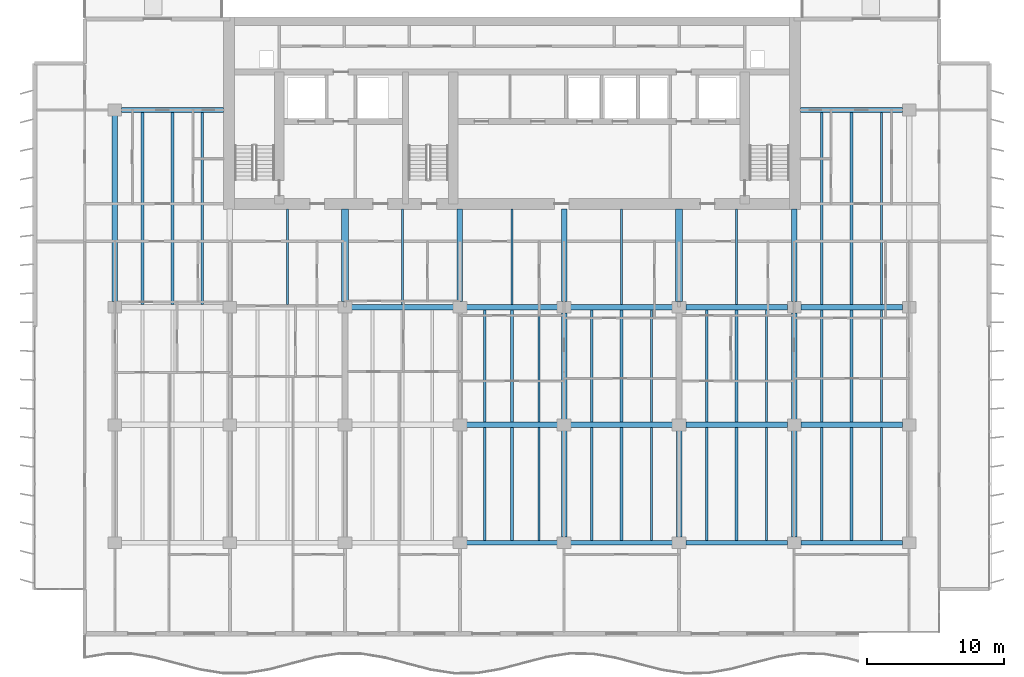
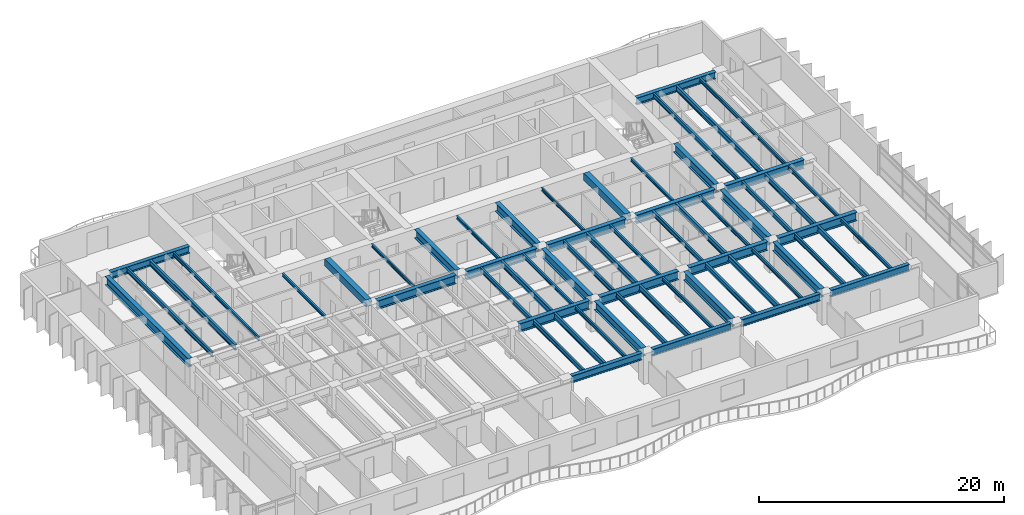
# One storey, part 3 of 16: 61 beams.
"""IFC4 building model written with IfcOpenShell, lengths in metres."""

from ifc_helpers import new_model, si_unit, direction, frame, origin, origin_2d, place, context, subcontext, project, spatial, rectangle, i_section, extrude, material, material_profile, profile_set, type_object, element, save


model = new_model("IFC4")

# Units and contexts
model_context = context("Model", 3, precision=1e-05, world=origin(), true_north=direction((0.0, 1.0)))
body_context = subcontext(model_context, "Body", "Model", "MODEL_VIEW")
ifc_project = project(units=[si_unit("LENGTHUNIT", "METRE"), si_unit("AREAUNIT", "SQUARE_METRE"), si_unit("VOLUMEUNIT", "CUBIC_METRE"), si_unit("PLANEANGLEUNIT", "RADIAN"), si_unit("MASSUNIT", "GRAM", prefix="KILO")], contexts=[model_context])

# Site, building, storey
site_placement = place(None, origin())
site = spatial("IfcSite", under=ifc_project, at=site_placement, CompositionType="ELEMENT")
building_placement = place(site_placement, origin())
building = spatial("IfcBuilding", under=site, at=building_placement, Name="Caelmar Bay Residences", CompositionType="ELEMENT")
storey_placement = place(building_placement, frame((0.0, 0.0, 148.800048828125)))
storey = spatial("IfcBuildingStorey", under=building, at=storey_placement, Name="L41", CompositionType="ELEMENT", Elevation=148.800048828125)

# Beams
ifc_material_1 = material(Name="Steel ASTM A992 Grade 50", Category="steel")
ifc_material_profile_1 = material_profile(ifc_material_1, i_section(OverallWidth=0.40087890625, OverallDepth=0.861083984375, WebThickness=0.019775390625, FlangeThickness=0.032470703125, FilletRadius=0.017822265625, at=origin_2d()), Name="W33X221")
ifc_profile_set_1 = profile_set([ifc_material_profile_1], Name="Steel ASTM A992 Grade 50")
beam_type_1 = type_object("IfcBeamType", Name="BM-GRD-W33X221", PredefinedType="BEAM", material=ifc_profile_set_1)
beam_1_placement = place(storey_placement, frame((35.590087890625, 20.800048828125, 2.5693359375), z_axis=(1.0, 0.0, 0.0), x_axis=(0.0, 1.0, 0.0)))
element("IfcBeam", 1, at=beam_1_placement, inside=storey, type_object=beam_type_1, Name="L41 East-West Girder Y=20.80 (35.1-42.7)", PredefinedType="BEAM", context=body_context, shape_type="SweptSolid", body=[
    extrude(i_section(OverallWidth=0.40087890625, OverallDepth=0.861083984375, WebThickness=0.019775390625, FlangeThickness=0.032470703125, FilletRadius=0.017822265625, at=origin_2d()), origin(), (0.0, 0.0, 1.0), 6.619873046875),
])
beam_2_placement = place(storey_placement, frame((43.18994140625, 20.800048828125, 2.5693359375), z_axis=(1.0, 0.0, 0.0), x_axis=(0.0, 1.0, 0.0)))
element("IfcBeam", 2, at=beam_2_placement, inside=storey, type_object=beam_type_1, Name="L41 East-West Girder Y=20.80 (42.7-51.1)", PredefinedType="BEAM", context=body_context, shape_type="SweptSolid", body=[
    extrude(i_section(OverallWidth=0.40087890625, OverallDepth=0.861083984375, WebThickness=0.019775390625, FlangeThickness=0.032470703125, FilletRadius=0.017822265625, at=origin_2d()), origin(), (0.0, 0.0, 1.0), 7.420166015625),
])
for number, where, z_axis, x_axis, name in (
    (3, (51.590087890625, 20.800048828125, 2.5693359375), (1.0, 0.0, 0.0), (0.0, 1.0, 0.0), "L41 East-West Girder Y=20.80 (51.1-59.5)"),
    (4, (59.989990234375, 20.800048828125, 2.5693359375), (1.0, 0.0, 0.0), (0.0, 1.0, 0.0), "L41 East-West Girder Y=20.80 (59.5-67.9)"),
):
    element("IfcBeam", number, at=place(storey_placement, frame(where, z_axis=z_axis, x_axis=x_axis)), inside=storey, type_object=beam_type_1, Name=name, PredefinedType="BEAM", context=body_context, shape_type="SweptSolid", body=[
        extrude(i_section(OverallWidth=0.40087890625, OverallDepth=0.861083984375, WebThickness=0.019775390625, FlangeThickness=0.032470703125, FilletRadius=0.017822265625, at=origin_2d()), origin(), (0.0, 0.0, 1.0), 7.419921875),
    ])
beam_3_placement = place(storey_placement, frame((27.18994140625, 29.39990234375, 2.5693359375), z_axis=(1.0, 0.0, 0.0), x_axis=(0.0, 1.0, 0.0)))
element("IfcBeam", 5, at=beam_3_placement, inside=storey, type_object=beam_type_1, Name="L41 East-West Girder Y=29.40 (26.7-35.1)", PredefinedType="BEAM", context=body_context, shape_type="SweptSolid", body=[
    extrude(i_section(OverallWidth=0.40087890625, OverallDepth=0.861083984375, WebThickness=0.019775390625, FlangeThickness=0.032470703125, FilletRadius=0.017822265625, at=origin_2d()), origin(), (0.0, 0.0, 1.0), 7.420166015625),
])
beam_4_placement = place(storey_placement, frame((35.590087890625, 29.39990234375, 2.5693359375), z_axis=(1.0, 0.0, 0.0), x_axis=(0.0, 1.0, 0.0)))
element("IfcBeam", 6, at=beam_4_placement, inside=storey, type_object=beam_type_1, Name="L41 East-West Girder Y=29.40 (35.1-42.7)", PredefinedType="BEAM", context=body_context, shape_type="SweptSolid", body=[
    extrude(i_section(OverallWidth=0.40087890625, OverallDepth=0.861083984375, WebThickness=0.019775390625, FlangeThickness=0.032470703125, FilletRadius=0.017822265625, at=origin_2d()), origin(), (0.0, 0.0, 1.0), 6.619873046875),
])
beam_5_placement = place(storey_placement, frame((43.18994140625, 29.39990234375, 2.5693359375), z_axis=(1.0, 0.0, 0.0), x_axis=(0.0, 1.0, 0.0)))
element("IfcBeam", 7, at=beam_5_placement, inside=storey, type_object=beam_type_1, Name="L41 East-West Girder Y=29.40 (42.7-51.1)", PredefinedType="BEAM", context=body_context, shape_type="SweptSolid", body=[
    extrude(i_section(OverallWidth=0.40087890625, OverallDepth=0.861083984375, WebThickness=0.019775390625, FlangeThickness=0.032470703125, FilletRadius=0.017822265625, at=origin_2d()), origin(), (0.0, 0.0, 1.0), 7.420166015625),
])
for number, where, z_axis, x_axis, name in (
    (8, (51.590087890625, 29.39990234375, 2.5693359375), (1.0, 0.0, 0.0), (0.0, 1.0, 0.0), "L41 East-West Girder Y=29.40 (51.1-59.5)"),
    (9, (59.989990234375, 29.39990234375, 2.5693359375), (1.0, 0.0, 0.0), (0.0, 1.0, 0.0), "L41 East-West Girder Y=29.40 (59.5-67.9)"),
):
    element("IfcBeam", number, at=place(storey_placement, frame(where, z_axis=z_axis, x_axis=x_axis)), inside=storey, type_object=beam_type_1, Name=name, PredefinedType="BEAM", context=body_context, shape_type="SweptSolid", body=[
        extrude(i_section(OverallWidth=0.40087890625, OverallDepth=0.861083984375, WebThickness=0.019775390625, FlangeThickness=0.032470703125, FilletRadius=0.017822265625, at=origin_2d()), origin(), (0.0, 0.0, 1.0), 7.419921875),
    ])
beam_6_placement = place(storey_placement, frame((9.89990234375, 29.81494140625, 2.5693359375), z_axis=(0.0, 1.0, 0.0), x_axis=(-1.0, 0.0, 0.0)))
element("IfcBeam", 10, at=beam_6_placement, inside=storey, type_object=beam_type_1, Name="L41 North-South Girder X=9.90 (29.4-43.8)", PredefinedType="BEAM", context=body_context, shape_type="SweptSolid", body=[
    extrude(i_section(OverallWidth=0.40087890625, OverallDepth=0.861083984375, WebThickness=0.019775390625, FlangeThickness=0.032470703125, FilletRadius=0.017822265625, at=origin_2d()), origin(), (0.0, 0.0, 1.0), 13.570068359375),
])
for number, where, z_axis, x_axis, name in (
    (11, (35.10009765625, 29.81494140625, 2.5693359375), (0.0, 1.0, 0.0), (-1.0, 0.0, 0.0), "L41 Core Tie Girder X=35.10"),
    (12, (42.699951171875, 29.81494140625, 2.5693359375), (0.0, 1.0, 0.0), (-1.0, 0.0, 0.0), "L41 Core Tie Girder X=42.70"),
):
    element("IfcBeam", number, at=place(storey_placement, frame(where, z_axis=z_axis, x_axis=x_axis)), inside=storey, type_object=beam_type_1, Name=name, PredefinedType="BEAM", context=body_context, shape_type="SweptSolid", body=[
        extrude(i_section(OverallWidth=0.40087890625, OverallDepth=0.861083984375, WebThickness=0.019775390625, FlangeThickness=0.032470703125, FilletRadius=0.017822265625, at=origin_2d()), origin(), (0.0, 0.0, 1.0), 6.735107421875),
    ])
for number, where, z_axis, x_axis, name in (
    (13, (42.699951171875, 12.614990234375, 2.5693359375), (0.0, 1.0, 0.0), (-1.0, 0.0, 0.0), "L41 North-South Girder X=42.70 (12.2-20.8)"),
    (14, (42.699951171875, 21.215087890625, 2.5693359375), (0.0, 1.0, 0.0), (-1.0, 0.0, 0.0), "L41 North-South Girder X=42.70 (20.8-29.4)"),
    (15, (51.10009765625, 12.614990234375, 2.5693359375), (0.0, 1.0, 0.0), (-1.0, 0.0, 0.0), "L41 North-South Girder X=51.10 (12.2-20.8)"),
):
    element("IfcBeam", number, at=place(storey_placement, frame(where, z_axis=z_axis, x_axis=x_axis)), inside=storey, type_object=beam_type_1, Name=name, PredefinedType="BEAM", context=body_context, shape_type="SweptSolid", body=[
        extrude(i_section(OverallWidth=0.40087890625, OverallDepth=0.861083984375, WebThickness=0.019775390625, FlangeThickness=0.032470703125, FilletRadius=0.017822265625, at=origin_2d()), origin(), (0.0, 0.0, 1.0), 7.77001953125),
    ])
beam_7_placement = place(storey_placement, frame((59.5, 29.81494140625, 2.5693359375), z_axis=(0.0, 1.0, 0.0), x_axis=(-1.0, 0.0, 0.0)))
element("IfcBeam", 16, at=beam_7_placement, inside=storey, type_object=beam_type_1, Name="L41 Core Tie Girder X=59.50", PredefinedType="BEAM", context=body_context, shape_type="SweptSolid", body=[
    extrude(i_section(OverallWidth=0.40087890625, OverallDepth=0.861083984375, WebThickness=0.019775390625, FlangeThickness=0.032470703125, FilletRadius=0.017822265625, at=origin_2d()), origin(), (0.0, 0.0, 1.0), 6.735107421875),
])
for number, where, z_axis, x_axis, name in (
    (17, (59.5, 12.614990234375, 2.5693359375), (0.0, 1.0, 0.0), (-1.0, 0.0, 0.0), "L41 North-South Girder X=59.50 (12.2-20.8)"),
    (18, (59.5, 21.215087890625, 2.5693359375), (0.0, 1.0, 0.0), (-1.0, 0.0, 0.0), "L41 North-South Girder X=59.50 (20.8-29.4)"),
):
    element("IfcBeam", number, at=place(storey_placement, frame(where, z_axis=z_axis, x_axis=x_axis)), inside=storey, type_object=beam_type_1, Name=name, PredefinedType="BEAM", context=body_context, shape_type="SweptSolid", body=[
        extrude(i_section(OverallWidth=0.40087890625, OverallDepth=0.861083984375, WebThickness=0.019775390625, FlangeThickness=0.032470703125, FilletRadius=0.017822265625, at=origin_2d()), origin(), (0.0, 0.0, 1.0), 7.77001953125),
    ])
ifc_material_profile_2 = material_profile(ifc_material_1, i_section(OverallWidth=0.1650390625, OverallDepth=0.31005859375, WebThickness=0.005859375, FlangeThickness=0.009765625, FilletRadius=0.007568359375, at=origin_2d()), Name="W12X26")
ifc_profile_set_2 = profile_set([ifc_material_profile_2], Name="Steel ASTM A992 Grade 50")
beam_type_2 = type_object("IfcBeamType", Name="BM-JST-W12X26", PredefinedType="JOIST", material=ifc_profile_set_2)
for number, where, z_axis, x_axis, name in (
    (19, (22.5, 29.6005859375, 2.844970703125), (0.0, 1.0, 0.0), (-1.0, 0.0, 0.0), "L41 Core-Band Composite Joist 43"),
    (20, (30.89990234375, 29.6005859375, 2.844970703125), (0.0, 1.0, 0.0), (-1.0, 0.0, 0.0), "L41 Core-Band Composite Joist 44"),
    (21, (38.89990234375, 29.6005859375, 2.844970703125), (0.0, 1.0, 0.0), (-1.0, 0.0, 0.0), "L41 Core-Band Composite Joist 45"),
    (22, (46.89990234375, 29.6005859375, 2.844970703125), (0.0, 1.0, 0.0), (-1.0, 0.0, 0.0), "L41 Core-Band Composite Joist 46"),
    (23, (55.300048828125, 29.6005859375, 2.844970703125), (0.0, 1.0, 0.0), (-1.0, 0.0, 0.0), "L41 Core-Band Composite Joist 47"),
):
    element("IfcBeam", number, at=place(storey_placement, frame(where, z_axis=z_axis, x_axis=x_axis)), inside=storey, type_object=beam_type_2, Name=name, PredefinedType="JOIST", context=body_context, shape_type="SweptSolid", body=[
        extrude(i_section(OverallWidth=0.1650390625, OverallDepth=0.31005859375, WebThickness=0.005859375, FlangeThickness=0.009765625, FilletRadius=0.007568359375, at=origin_2d()), origin(), (0.0, 0.0, 1.0), 6.949462890625),
    ])
ifc_material_profile_3 = material_profile(ifc_material_1, i_section(OverallWidth=0.1708984375, OverallDepth=0.35595703125, WebThickness=0.007080078125, FlangeThickness=0.01171875, FilletRadius=0.007568359375, at=origin_2d()), Name="W14X34")
ifc_profile_set_3 = profile_set([ifc_material_profile_3], Name="Steel ASTM A992 Grade 50")
beam_type_3 = type_object("IfcBeamType", Name="BM-JST-W14X34", PredefinedType="JOIST", material=ifc_profile_set_3)
for number, where, z_axis, x_axis, name in (
    (24, (40.8759765625, 12.3779296875, 2.822021484375), (0.0, 1.0, 0.0), (-1.0, 0.0, 0.0), "L41 Composite Floor Joist 12"),
    (25, (49.083984375, 12.3779296875, 2.822021484375), (0.0, 1.0, 0.0), (-1.0, 0.0, 0.0), "L41 Composite Floor Joist 15"),
    (26, (57.48388671875, 12.3779296875, 2.822021484375), (0.0, 1.0, 0.0), (-1.0, 0.0, 0.0), "L41 Composite Floor Joist 18"),
    (27, (65.884033203125, 12.3779296875, 2.822021484375), (0.0, 1.0, 0.0), (-1.0, 0.0, 0.0), "L41 Composite Floor Joist 21"),
):
    element("IfcBeam", number, at=place(storey_placement, frame(where, z_axis=z_axis, x_axis=x_axis)), inside=storey, type_object=beam_type_3, Name=name, PredefinedType="JOIST", context=body_context, shape_type="SweptSolid", body=[
        extrude(i_section(OverallWidth=0.1708984375, OverallDepth=0.35595703125, WebThickness=0.007080078125, FlangeThickness=0.01171875, FilletRadius=0.007568359375, at=origin_2d()), origin(), (0.0, 0.0, 1.0), 8.2216796875),
    ])
for number, where, z_axis, x_axis, name in (
    (28, (40.8759765625, 21.00048828125, 2.822021484375), (0.0, 1.0, 0.0), (-1.0, 0.0, 0.0), "L41 Composite Floor Joist 33"),
    (29, (49.083984375, 21.00048828125, 2.822021484375), (0.0, 1.0, 0.0), (-1.0, 0.0, 0.0), "L41 Composite Floor Joist 36"),
    (30, (57.48388671875, 21.00048828125, 2.822021484375), (0.0, 1.0, 0.0), (-1.0, 0.0, 0.0), "L41 Composite Floor Joist 39"),
    (31, (65.884033203125, 21.00048828125, 2.822021484375), (0.0, 1.0, 0.0), (-1.0, 0.0, 0.0), "L41 Composite Floor Joist 42"),
):
    element("IfcBeam", number, at=place(storey_placement, frame(where, z_axis=z_axis, x_axis=x_axis)), inside=storey, type_object=beam_type_3, Name=name, PredefinedType="JOIST", context=body_context, shape_type="SweptSolid", body=[
        extrude(i_section(OverallWidth=0.1708984375, OverallDepth=0.35595703125, WebThickness=0.007080078125, FlangeThickness=0.01171875, FilletRadius=0.007568359375, at=origin_2d()), origin(), (0.0, 0.0, 1.0), 8.198974609375),
    ])
for number, where, z_axis, x_axis, name in (
    (32, (16.283935546875, 29.6005859375, 2.822021484375), (0.0, 1.0, 0.0), (-1.0, 0.0, 0.0), "L41 Composite Floor Joist 50"),
    (33, (65.884033203125, 29.6005859375, 2.822021484375), (0.0, 1.0, 0.0), (-1.0, 0.0, 0.0), "L41 Composite Floor Joist 53"),
):
    element("IfcBeam", number, at=place(storey_placement, frame(where, z_axis=z_axis, x_axis=x_axis)), inside=storey, type_object=beam_type_3, Name=name, PredefinedType="JOIST", context=body_context, shape_type="SweptSolid", body=[
        extrude(i_section(OverallWidth=0.1708984375, OverallDepth=0.35595703125, WebThickness=0.007080078125, FlangeThickness=0.01171875, FilletRadius=0.007568359375, at=origin_2d()), origin(), (0.0, 0.0, 1.0), 14.021484375),
    ])
ifc_material_profile_4 = material_profile(ifc_material_1, i_section(OverallWidth=0.19091796875, OverallDepth=0.45703125, WebThickness=0.009033203125, FlangeThickness=0.014404296875, FilletRadius=0.01025390625, at=origin_2d()), Name="W18X50")
ifc_profile_set_4 = profile_set([ifc_material_profile_4], Name="Steel ASTM A992 Grade 50")
beam_type_4 = type_object("IfcBeamType", Name="BM-JST-W18X50", PredefinedType="JOIST", material=ifc_profile_set_4)
for number, where, z_axis, x_axis, name in (
    (34, (36.924072265625, 12.3779296875, 2.771484375), (0.0, 1.0, 0.0), (-1.0, 0.0, 0.0), "L41 Composite Floor Joist 10"),
    (35, (44.716064453125, 12.3779296875, 2.771484375), (0.0, 1.0, 0.0), (-1.0, 0.0, 0.0), "L41 Composite Floor Joist 13"),
    (36, (53.115966796875, 12.3779296875, 2.771484375), (0.0, 1.0, 0.0), (-1.0, 0.0, 0.0), "L41 Composite Floor Joist 16"),
    (37, (61.51611328125, 12.3779296875, 2.771484375), (0.0, 1.0, 0.0), (-1.0, 0.0, 0.0), "L41 Composite Floor Joist 19"),
):
    element("IfcBeam", number, at=place(storey_placement, frame(where, z_axis=z_axis, x_axis=x_axis)), inside=storey, type_object=beam_type_4, Name=name, PredefinedType="JOIST", context=body_context, shape_type="SweptSolid", body=[
        extrude(i_section(OverallWidth=0.19091796875, OverallDepth=0.45703125, WebThickness=0.009033203125, FlangeThickness=0.014404296875, FilletRadius=0.01025390625, at=origin_2d()), origin(), (0.0, 0.0, 1.0), 8.2216796875),
    ])
for number, where, z_axis, x_axis, name in (
    (38, (36.924072265625, 21.00048828125, 2.771484375), (0.0, 1.0, 0.0), (-1.0, 0.0, 0.0), "L41 Composite Floor Joist 31"),
    (39, (44.716064453125, 21.00048828125, 2.771484375), (0.0, 1.0, 0.0), (-1.0, 0.0, 0.0), "L41 Composite Floor Joist 34"),
    (40, (53.115966796875, 21.00048828125, 2.771484375), (0.0, 1.0, 0.0), (-1.0, 0.0, 0.0), "L41 Composite Floor Joist 37"),
    (41, (61.51611328125, 21.00048828125, 2.771484375), (0.0, 1.0, 0.0), (-1.0, 0.0, 0.0), "L41 Composite Floor Joist 40"),
):
    element("IfcBeam", number, at=place(storey_placement, frame(where, z_axis=z_axis, x_axis=x_axis)), inside=storey, type_object=beam_type_4, Name=name, PredefinedType="JOIST", context=body_context, shape_type="SweptSolid", body=[
        extrude(i_section(OverallWidth=0.19091796875, OverallDepth=0.45703125, WebThickness=0.009033203125, FlangeThickness=0.014404296875, FilletRadius=0.01025390625, at=origin_2d()), origin(), (0.0, 0.0, 1.0), 8.198974609375),
    ])
for number, where, z_axis, x_axis, name in (
    (42, (11.916015625, 29.6005859375, 2.771484375), (0.0, 1.0, 0.0), (-1.0, 0.0, 0.0), "L41 Composite Floor Joist 48"),
    (43, (61.51611328125, 29.6005859375, 2.771484375), (0.0, 1.0, 0.0), (-1.0, 0.0, 0.0), "L41 Composite Floor Joist 51"),
):
    element("IfcBeam", number, at=place(storey_placement, frame(where, z_axis=z_axis, x_axis=x_axis)), inside=storey, type_object=beam_type_4, Name=name, PredefinedType="JOIST", context=body_context, shape_type="SweptSolid", body=[
        extrude(i_section(OverallWidth=0.19091796875, OverallDepth=0.45703125, WebThickness=0.009033203125, FlangeThickness=0.014404296875, FilletRadius=0.01025390625, at=origin_2d()), origin(), (0.0, 0.0, 1.0), 14.021484375),
    ])
ifc_material_profile_5 = material_profile(ifc_material_1, i_section(OverallWidth=0.214111328125, OverallDepth=0.549072265625, WebThickness=0.0146484375, FlangeThickness=0.023681640625, FilletRadius=0.0126953125, at=origin_2d()), Name="W21X93")
ifc_profile_set_5 = profile_set([ifc_material_profile_5], Name="Steel ASTM A992 Grade 50")
beam_type_5 = type_object("IfcBeamType", Name="BM-JST-W21X93", PredefinedType="JOIST", material=ifc_profile_set_5)
for number, where, z_axis, x_axis, name in (
    (44, (38.89990234375, 12.3779296875, 2.725341796875), (0.0, 1.0, 0.0), (-1.0, 0.0, 0.0), "L41 Composite Floor Joist 11"),
    (45, (46.89990234375, 12.3779296875, 2.725341796875), (0.0, 1.0, 0.0), (-1.0, 0.0, 0.0), "L41 Composite Floor Joist 14"),
    (46, (55.300048828125, 12.3779296875, 2.725341796875), (0.0, 1.0, 0.0), (-1.0, 0.0, 0.0), "L41 Composite Floor Joist 17"),
    (47, (63.699951171875, 12.3779296875, 2.725341796875), (0.0, 1.0, 0.0), (-1.0, 0.0, 0.0), "L41 Composite Floor Joist 20"),
):
    element("IfcBeam", number, at=place(storey_placement, frame(where, z_axis=z_axis, x_axis=x_axis)), inside=storey, type_object=beam_type_5, Name=name, PredefinedType="JOIST", context=body_context, shape_type="SweptSolid", body=[
        extrude(i_section(OverallWidth=0.214111328125, OverallDepth=0.549072265625, WebThickness=0.0146484375, FlangeThickness=0.023681640625, FilletRadius=0.0126953125, at=origin_2d()), origin(), (0.0, 0.0, 1.0), 8.2216796875),
    ])
for number, where, z_axis, x_axis, name in (
    (48, (38.89990234375, 21.00048828125, 2.725341796875), (0.0, 1.0, 0.0), (-1.0, 0.0, 0.0), "L41 Composite Floor Joist 32"),
    (49, (46.89990234375, 21.00048828125, 2.725341796875), (0.0, 1.0, 0.0), (-1.0, 0.0, 0.0), "L41 Composite Floor Joist 35"),
    (50, (55.300048828125, 21.00048828125, 2.725341796875), (0.0, 1.0, 0.0), (-1.0, 0.0, 0.0), "L41 Composite Floor Joist 38"),
    (51, (63.699951171875, 21.00048828125, 2.725341796875), (0.0, 1.0, 0.0), (-1.0, 0.0, 0.0), "L41 Composite Floor Joist 41"),
):
    element("IfcBeam", number, at=place(storey_placement, frame(where, z_axis=z_axis, x_axis=x_axis)), inside=storey, type_object=beam_type_5, Name=name, PredefinedType="JOIST", context=body_context, shape_type="SweptSolid", body=[
        extrude(i_section(OverallWidth=0.214111328125, OverallDepth=0.549072265625, WebThickness=0.0146484375, FlangeThickness=0.023681640625, FilletRadius=0.0126953125, at=origin_2d()), origin(), (0.0, 0.0, 1.0), 8.198974609375),
    ])
for number, where, z_axis, x_axis, name in (
    (52, (14.10009765625, 29.6005859375, 2.725341796875), (0.0, 1.0, 0.0), (-1.0, 0.0, 0.0), "L41 Composite Floor Joist 49"),
    (53, (63.699951171875, 29.6005859375, 2.725341796875), (0.0, 1.0, 0.0), (-1.0, 0.0, 0.0), "L41 Composite Floor Joist 52"),
):
    element("IfcBeam", number, at=place(storey_placement, frame(where, z_axis=z_axis, x_axis=x_axis)), inside=storey, type_object=beam_type_5, Name=name, PredefinedType="JOIST", context=body_context, shape_type="SweptSolid", body=[
        extrude(i_section(OverallWidth=0.214111328125, OverallDepth=0.549072265625, WebThickness=0.0146484375, FlangeThickness=0.023681640625, FilletRadius=0.0126953125, at=origin_2d()), origin(), (0.0, 0.0, 1.0), 14.021484375),
    ])
ifc_material_2 = material(Name="Concrete f'c 55 MPa (8,000 psi)", Category="concrete")
ifc_material_profile_6 = material_profile(ifc_material_2, rectangle(XDim=0.5, YDim=0.699951171875, at=origin_2d()), Name="RC-BM-500X700")
ifc_profile_set_6 = profile_set([ifc_material_profile_6], Name="Concrete f'c 55 MPa (8,000 psi)")
beam_type_6 = type_object("IfcBeamType", Name="BM-RC-500X700", PredefinedType="LINTEL", material=ifc_profile_set_6)
for number, where, z_axis, x_axis, name in (
    (54, (26.699951171875, 29.81494140625, 2.64990234375), (0.0, 1.0, 0.0), (-1.0, 0.0, 0.0), "L41 Shear-Wall Corridor Coupling Lintel W5"),
    (55, (51.10009765625, 29.81494140625, 2.64990234375), (0.0, 1.0, 0.0), (-1.0, 0.0, 0.0), "L41 Shear-Wall Corridor Coupling Lintel E8"),
):
    element("IfcBeam", number, at=place(storey_placement, frame(where, z_axis=z_axis, x_axis=x_axis)), inside=storey, type_object=beam_type_6, Name=name, PredefinedType="LINTEL", context=body_context, shape_type="SweptSolid", body=[
        extrude(rectangle(XDim=0.5, YDim=0.699951171875, at=origin_2d()), origin(), (0.0, 0.0, 1.0), 6.735107421875),
    ])
ifc_material_profile_7 = material_profile(ifc_material_1, i_section(OverallWidth=0.35595703125, OverallDepth=0.696044921875, WebThickness=0.015380859375, FlangeThickness=0.02490234375, FilletRadius=0.01513671875, at=origin_2d()), Name="W27X146")
ifc_profile_set_7 = profile_set([ifc_material_profile_7], Name="Steel ASTM A992 Grade 50")
beam_type_7 = type_object("IfcBeamType", Name="BM-SPN-W27X146", PredefinedType="SPANDREL", material=ifc_profile_set_7)
beam_8_placement = place(storey_placement, frame((35.590087890625, 12.199951171875, 2.65185546875), z_axis=(1.0, 0.0, 0.0), x_axis=(0.0, 1.0, 0.0)))
element("IfcBeam", 56, at=beam_8_placement, inside=storey, type_object=beam_type_7, Name="L41 East-West Girder Y=12.20 (35.1-42.7)", PredefinedType="SPANDREL", context=body_context, shape_type="SweptSolid", body=[
    extrude(i_section(OverallWidth=0.35595703125, OverallDepth=0.696044921875, WebThickness=0.015380859375, FlangeThickness=0.02490234375, FilletRadius=0.01513671875, at=origin_2d()), origin(), (0.0, 0.0, 1.0), 6.619873046875),
])
beam_9_placement = place(storey_placement, frame((43.18994140625, 12.199951171875, 2.65185546875), z_axis=(1.0, 0.0, 0.0), x_axis=(0.0, 1.0, 0.0)))
element("IfcBeam", 57, at=beam_9_placement, inside=storey, type_object=beam_type_7, Name="L41 East-West Girder Y=12.20 (42.7-51.1)", PredefinedType="SPANDREL", context=body_context, shape_type="SweptSolid", body=[
    extrude(i_section(OverallWidth=0.35595703125, OverallDepth=0.696044921875, WebThickness=0.015380859375, FlangeThickness=0.02490234375, FilletRadius=0.01513671875, at=origin_2d()), origin(), (0.0, 0.0, 1.0), 7.420166015625),
])
for number, where, z_axis, x_axis, name in (
    (58, (51.590087890625, 12.199951171875, 2.65185546875), (1.0, 0.0, 0.0), (0.0, 1.0, 0.0), "L41 East-West Girder Y=12.20 (51.1-59.5)"),
    (59, (59.989990234375, 12.199951171875, 2.65185546875), (1.0, 0.0, 0.0), (0.0, 1.0, 0.0), "L41 East-West Girder Y=12.20 (59.5-67.9)"),
):
    element("IfcBeam", number, at=place(storey_placement, frame(where, z_axis=z_axis, x_axis=x_axis)), inside=storey, type_object=beam_type_7, Name=name, PredefinedType="SPANDREL", context=body_context, shape_type="SweptSolid", body=[
        extrude(i_section(OverallWidth=0.35595703125, OverallDepth=0.696044921875, WebThickness=0.015380859375, FlangeThickness=0.02490234375, FilletRadius=0.01513671875, at=origin_2d()), origin(), (0.0, 0.0, 1.0), 7.419921875),
    ])
beam_10_placement = place(storey_placement, frame((10.389892578125, 43.800048828125, 2.65185546875), z_axis=(1.0, 0.0, 0.0), x_axis=(0.0, 1.0, 0.0)))
element("IfcBeam", 60, at=beam_10_placement, inside=storey, type_object=beam_type_7, Name="L41 North-West Wing Core Tie Girder", PredefinedType="SPANDREL", context=body_context, shape_type="SweptSolid", body=[
    extrude(i_section(OverallWidth=0.35595703125, OverallDepth=0.696044921875, WebThickness=0.015380859375, FlangeThickness=0.02490234375, FilletRadius=0.01513671875, at=origin_2d()), origin(), (0.0, 0.0, 1.0), 7.460205078125),
])
beam_11_placement = place(storey_placement, frame((59.949951171875, 43.800048828125, 2.65185546875), z_axis=(1.0, 0.0, 0.0), x_axis=(0.0, 1.0, 0.0)))
element("IfcBeam", 61, at=beam_11_placement, inside=storey, type_object=beam_type_7, Name="L41 North-East Wing Core Tie Girder", PredefinedType="SPANDREL", context=body_context, shape_type="SweptSolid", body=[
    extrude(i_section(OverallWidth=0.35595703125, OverallDepth=0.696044921875, WebThickness=0.015380859375, FlangeThickness=0.02490234375, FilletRadius=0.01513671875, at=origin_2d()), origin(), (0.0, 0.0, 1.0), 7.4599609375),
])

save(model, "model.ifc")
